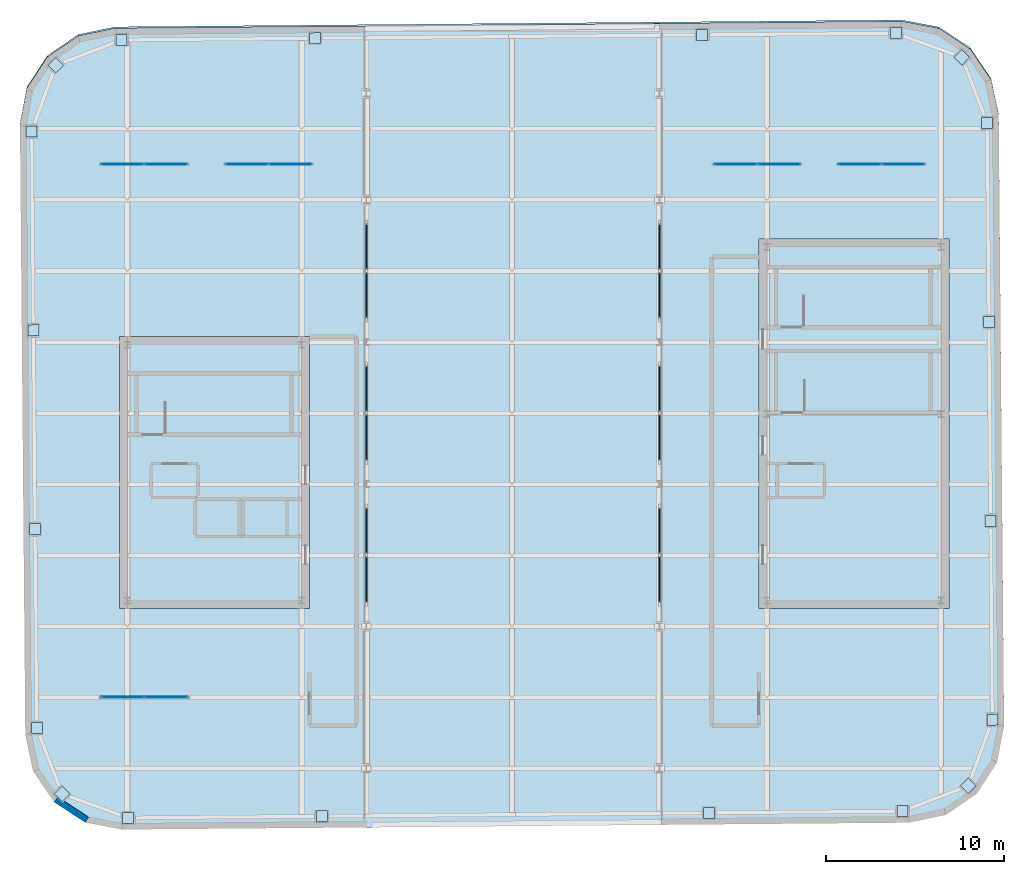
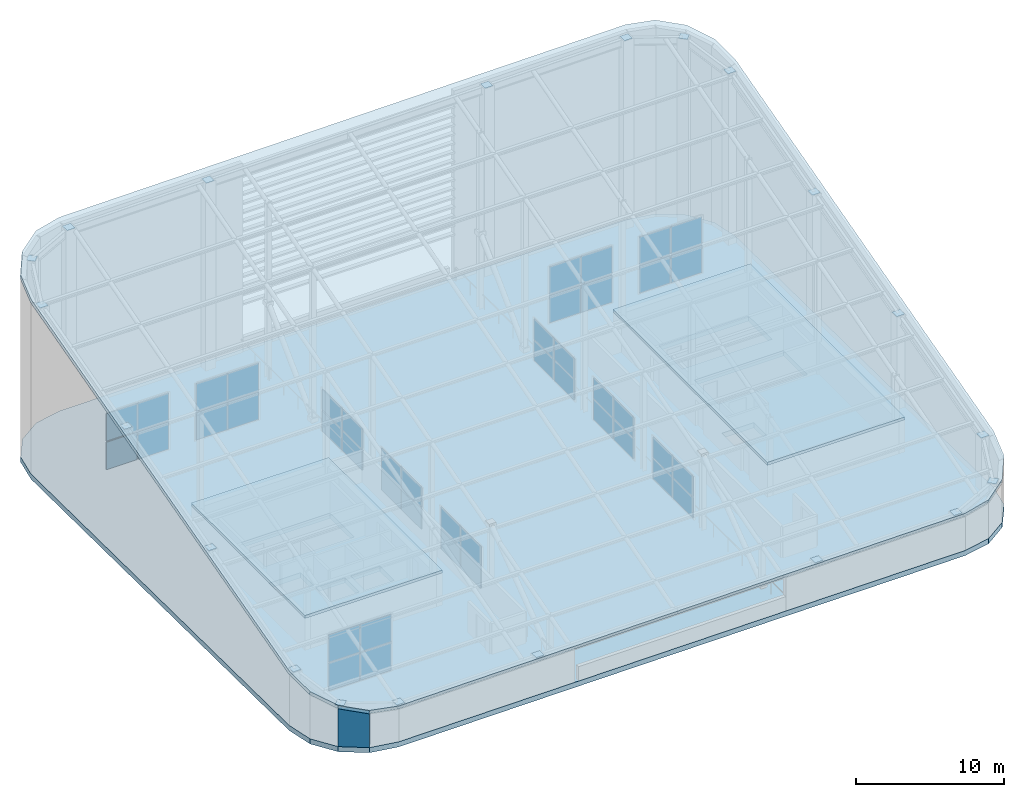
# One storey, part 14 of 17: 64 plates, 4 slabs, 1 wall, 11 elements without a shape of their own.
"""IFC4 building model written with IfcOpenShell, lengths in metres."""

from ifc_helpers import new_model, si_unit, direction, frame, origin, origin_2d, place, context, subcontext, project, spatial, polyline, rectangle, outline, extrude, material, layer, layer_set, type_object, element, aggregate, save


model = new_model("IFC4")

# Units and contexts
model_context = context("Model", 3, precision=1e-05, world=origin(), true_north=direction((0.0, 1.0)))
body_context = subcontext(model_context, "Body", "Model", "MODEL_VIEW")
ifc_project = project(units=[si_unit("LENGTHUNIT", "METRE"), si_unit("AREAUNIT", "SQUARE_METRE"), si_unit("VOLUMEUNIT", "CUBIC_METRE"), si_unit("PLANEANGLEUNIT", "RADIAN"), si_unit("MASSUNIT", "GRAM", prefix="KILO")], contexts=[model_context])

# Site, building, storey
site_placement = place(None, origin())
site = spatial("IfcSite", under=ifc_project, at=site_placement, CompositionType="ELEMENT")
building_placement = place(site_placement, origin())
building = spatial("IfcBuilding", under=site, at=building_placement, Name="Kolvaren Arena Tower", CompositionType="ELEMENT")
storey_placement = place(building_placement, frame((0.0, 0.0, 322.0)))
storey = spatial("IfcBuildingStorey", under=building, at=storey_placement, Name="Roof Crown", CompositionType="ELEMENT", Elevation=322.0)

# Curtain wall, plates
ifc_material_1 = material(Name="Anodised aluminium unitised curtain wall", Category="aluminium")
curtain_wall_type_1 = type_object("IfcCurtainWallType", Name="CW-SYS-04", PredefinedType="USERDEFINED", material=ifc_material_1)
curtain_wall_1_placement = place(storey_placement, origin())
curtain_wall_1 = element("IfcCurtainWall", 1, at=curtain_wall_1_placement, inside=storey, type_object=curtain_wall_type_1, Name="Wind-Portal Throat Acoustic Curtain Screen (Roof Crown)", ObjectType="ACOUSTIC LOUVRE SCREEN", PredefinedType="USERDEFINED")
ifc_material_2 = material(Name="Storm-proof anodised aluminium louvre panel", Category="aluminium")
ifc_layer_1 = layer(ifc_material_2, 0.074951171875)
ifc_layer_set_1 = layer_set([ifc_layer_1], Name="Storm-proof anodised aluminium louvre panel")
plate_type_1 = type_object("IfcPlateType", Name="CWP-LVR1", PredefinedType="CURTAIN_PANEL", material=ifc_layer_set_1)
plate_1_placement = place(storey_placement, frame((28.0, 20.6298828125, 0.10009765625), z_axis=(0.0, 0.0, 1.0), x_axis=(0.0, 1.0, 0.0)))
plate_1 = element("IfcPlate", 2, at=plate_1_placement, type_object=plate_type_1, Name="CW4 panel 1.1", PredefinedType="CURTAIN_PANEL", context=body_context, shape_type="SweptSolid", body=[
    extrude(rectangle(XDim=2.6201171875, YDim=0.074951171875, at=origin_2d()), origin(), (0.0, 0.0, 1.0), 1.64990234375),
])
plate_2_placement = place(storey_placement, frame((28.0, 20.6298828125, 1.85009765625), z_axis=(0.0, 0.0, 1.0), x_axis=(0.0, 1.0, 0.0)))
plate_2 = element("IfcPlate", 3, at=plate_2_placement, type_object=plate_type_1, Name="CW4 panel 1.2", PredefinedType="CURTAIN_PANEL", context=body_context, shape_type="SweptSolid", body=[
    extrude(rectangle(XDim=2.6201171875, YDim=0.074951171875, at=origin_2d()), origin(), (0.0, 0.0, 1.0), 1.64990234375),
])
plate_3_placement = place(storey_placement, frame((28.0, 23.3701171875, 0.10009765625), z_axis=(0.0, 0.0, 1.0), x_axis=(0.0, 1.0, 0.0)))
plate_3 = element("IfcPlate", 4, at=plate_3_placement, type_object=plate_type_1, Name="CW4 panel 2.1", PredefinedType="CURTAIN_PANEL", context=body_context, shape_type="SweptSolid", body=[
    extrude(rectangle(XDim=2.6201171875, YDim=0.074951171875, at=origin_2d()), origin(), (0.0, 0.0, 1.0), 1.64990234375),
])
plate_4_placement = place(storey_placement, frame((28.0, 23.3701171875, 1.85009765625), z_axis=(0.0, 0.0, 1.0), x_axis=(0.0, 1.0, 0.0)))
plate_4 = element("IfcPlate", 5, at=plate_4_placement, type_object=plate_type_1, Name="CW4 panel 2.2", PredefinedType="CURTAIN_PANEL", context=body_context, shape_type="SweptSolid", body=[
    extrude(rectangle(XDim=2.6201171875, YDim=0.074951171875, at=origin_2d()), origin(), (0.0, 0.0, 1.0), 1.64990234375),
])
aggregate(curtain_wall_1, [plate_1, plate_2, plate_3, plate_4])

curtain_wall_2_placement = place(storey_placement, origin())
curtain_wall_2 = element("IfcCurtainWall", 6, at=curtain_wall_2_placement, inside=storey, type_object=curtain_wall_type_1, Name="Wind-Portal Throat Acoustic Curtain Screen (Roof Crown)", ObjectType="ACOUSTIC LOUVRE SCREEN", PredefinedType="USERDEFINED")
plate_5_placement = place(storey_placement, frame((28.0, 28.6298828125, 0.10009765625), z_axis=(0.0, 0.0, 1.0), x_axis=(0.0, 1.0, 0.0)))
plate_5 = element("IfcPlate", 7, at=plate_5_placement, type_object=plate_type_1, Name="CW4 panel 1.1", PredefinedType="CURTAIN_PANEL", context=body_context, shape_type="SweptSolid", body=[
    extrude(rectangle(XDim=2.6201171875, YDim=0.074951171875, at=origin_2d()), origin(), (0.0, 0.0, 1.0), 1.64990234375),
])
plate_6_placement = place(storey_placement, frame((28.0, 28.6298828125, 1.85009765625), z_axis=(0.0, 0.0, 1.0), x_axis=(0.0, 1.0, 0.0)))
plate_6 = element("IfcPlate", 8, at=plate_6_placement, type_object=plate_type_1, Name="CW4 panel 1.2", PredefinedType="CURTAIN_PANEL", context=body_context, shape_type="SweptSolid", body=[
    extrude(rectangle(XDim=2.6201171875, YDim=0.074951171875, at=origin_2d()), origin(), (0.0, 0.0, 1.0), 1.64990234375),
])
plate_7_placement = place(storey_placement, frame((28.0, 31.3701171875, 0.10009765625), z_axis=(0.0, 0.0, 1.0), x_axis=(0.0, 1.0, 0.0)))
plate_7 = element("IfcPlate", 9, at=plate_7_placement, type_object=plate_type_1, Name="CW4 panel 2.1", PredefinedType="CURTAIN_PANEL", context=body_context, shape_type="SweptSolid", body=[
    extrude(rectangle(XDim=2.6201171875, YDim=0.074951171875, at=origin_2d()), origin(), (0.0, 0.0, 1.0), 1.64990234375),
])
plate_8_placement = place(storey_placement, frame((28.0, 31.3701171875, 1.85009765625), z_axis=(0.0, 0.0, 1.0), x_axis=(0.0, 1.0, 0.0)))
plate_8 = element("IfcPlate", 10, at=plate_8_placement, type_object=plate_type_1, Name="CW4 panel 2.2", PredefinedType="CURTAIN_PANEL", context=body_context, shape_type="SweptSolid", body=[
    extrude(rectangle(XDim=2.6201171875, YDim=0.074951171875, at=origin_2d()), origin(), (0.0, 0.0, 1.0), 1.64990234375),
])
aggregate(curtain_wall_2, [plate_5, plate_6, plate_7, plate_8])

curtain_wall_3_placement = place(storey_placement, origin())
curtain_wall_3 = element("IfcCurtainWall", 11, at=curtain_wall_3_placement, inside=storey, type_object=curtain_wall_type_1, Name="Wind-Portal Throat Acoustic Curtain Screen (Roof Crown)", ObjectType="ACOUSTIC LOUVRE SCREEN", PredefinedType="USERDEFINED")
plate_9_placement = place(storey_placement, frame((28.0, 36.6298828125, 0.10009765625), z_axis=(0.0, 0.0, 1.0), x_axis=(0.0, 1.0, 0.0)))
plate_9 = element("IfcPlate", 12, at=plate_9_placement, type_object=plate_type_1, Name="CW4 panel 1.1", PredefinedType="CURTAIN_PANEL", context=body_context, shape_type="SweptSolid", body=[
    extrude(rectangle(XDim=2.6201171875, YDim=0.074951171875, at=origin_2d()), origin(), (0.0, 0.0, 1.0), 1.64990234375),
])
plate_10_placement = place(storey_placement, frame((28.0, 36.6298828125, 1.85009765625), z_axis=(0.0, 0.0, 1.0), x_axis=(0.0, 1.0, 0.0)))
plate_10 = element("IfcPlate", 13, at=plate_10_placement, type_object=plate_type_1, Name="CW4 panel 1.2", PredefinedType="CURTAIN_PANEL", context=body_context, shape_type="SweptSolid", body=[
    extrude(rectangle(XDim=2.6201171875, YDim=0.074951171875, at=origin_2d()), origin(), (0.0, 0.0, 1.0), 1.64990234375),
])
plate_11_placement = place(storey_placement, frame((28.0, 39.3701171875, 0.10009765625), z_axis=(0.0, 0.0, 1.0), x_axis=(0.0, 1.0, 0.0)))
plate_11 = element("IfcPlate", 14, at=plate_11_placement, type_object=plate_type_1, Name="CW4 panel 2.1", PredefinedType="CURTAIN_PANEL", context=body_context, shape_type="SweptSolid", body=[
    extrude(rectangle(XDim=2.6201171875, YDim=0.074951171875, at=origin_2d()), origin(), (0.0, 0.0, 1.0), 1.64990234375),
])
plate_12_placement = place(storey_placement, frame((28.0, 39.3701171875, 1.85009765625), z_axis=(0.0, 0.0, 1.0), x_axis=(0.0, 1.0, 0.0)))
plate_12 = element("IfcPlate", 15, at=plate_12_placement, type_object=plate_type_1, Name="CW4 panel 2.2", PredefinedType="CURTAIN_PANEL", context=body_context, shape_type="SweptSolid", body=[
    extrude(rectangle(XDim=2.6201171875, YDim=0.074951171875, at=origin_2d()), origin(), (0.0, 0.0, 1.0), 1.64990234375),
])
aggregate(curtain_wall_3, [plate_9, plate_10, plate_11, plate_12])

curtain_wall_4_placement = place(storey_placement, origin())
curtain_wall_4 = element("IfcCurtainWall", 16, at=curtain_wall_4_placement, inside=storey, type_object=curtain_wall_type_1, Name="Wind-Portal Throat Acoustic Curtain Screen (Roof Crown)", ObjectType="ACOUSTIC LOUVRE SCREEN", PredefinedType="USERDEFINED")
plate_13_placement = place(storey_placement, frame((44.5, 20.6298828125, 0.10009765625), z_axis=(0.0, 0.0, 1.0), x_axis=(0.0, 1.0, 0.0)))
plate_13 = element("IfcPlate", 17, at=plate_13_placement, type_object=plate_type_1, Name="CW4 panel 1.1", PredefinedType="CURTAIN_PANEL", context=body_context, shape_type="SweptSolid", body=[
    extrude(rectangle(XDim=2.6201171875, YDim=0.074951171875, at=origin_2d()), origin(), (0.0, 0.0, 1.0), 1.64990234375),
])
plate_14_placement = place(storey_placement, frame((44.5, 20.6298828125, 1.85009765625), z_axis=(0.0, 0.0, 1.0), x_axis=(0.0, 1.0, 0.0)))
plate_14 = element("IfcPlate", 18, at=plate_14_placement, type_object=plate_type_1, Name="CW4 panel 1.2", PredefinedType="CURTAIN_PANEL", context=body_context, shape_type="SweptSolid", body=[
    extrude(rectangle(XDim=2.6201171875, YDim=0.074951171875, at=origin_2d()), origin(), (0.0, 0.0, 1.0), 1.64990234375),
])
plate_15_placement = place(storey_placement, frame((44.5, 23.3701171875, 0.10009765625), z_axis=(0.0, 0.0, 1.0), x_axis=(0.0, 1.0, 0.0)))
plate_15 = element("IfcPlate", 19, at=plate_15_placement, type_object=plate_type_1, Name="CW4 panel 2.1", PredefinedType="CURTAIN_PANEL", context=body_context, shape_type="SweptSolid", body=[
    extrude(rectangle(XDim=2.6201171875, YDim=0.074951171875, at=origin_2d()), origin(), (0.0, 0.0, 1.0), 1.64990234375),
])
plate_16_placement = place(storey_placement, frame((44.5, 23.3701171875, 1.85009765625), z_axis=(0.0, 0.0, 1.0), x_axis=(0.0, 1.0, 0.0)))
plate_16 = element("IfcPlate", 20, at=plate_16_placement, type_object=plate_type_1, Name="CW4 panel 2.2", PredefinedType="CURTAIN_PANEL", context=body_context, shape_type="SweptSolid", body=[
    extrude(rectangle(XDim=2.6201171875, YDim=0.074951171875, at=origin_2d()), origin(), (0.0, 0.0, 1.0), 1.64990234375),
])
aggregate(curtain_wall_4, [plate_13, plate_14, plate_15, plate_16])

curtain_wall_5_placement = place(storey_placement, origin())
curtain_wall_5 = element("IfcCurtainWall", 21, at=curtain_wall_5_placement, inside=storey, type_object=curtain_wall_type_1, Name="Wind-Portal Throat Acoustic Curtain Screen (Roof Crown)", ObjectType="ACOUSTIC LOUVRE SCREEN", PredefinedType="USERDEFINED")
plate_17_placement = place(storey_placement, frame((44.5, 28.6298828125, 0.10009765625), z_axis=(0.0, 0.0, 1.0), x_axis=(0.0, 1.0, 0.0)))
plate_17 = element("IfcPlate", 22, at=plate_17_placement, type_object=plate_type_1, Name="CW4 panel 1.1", PredefinedType="CURTAIN_PANEL", context=body_context, shape_type="SweptSolid", body=[
    extrude(rectangle(XDim=2.6201171875, YDim=0.074951171875, at=origin_2d()), origin(), (0.0, 0.0, 1.0), 1.64990234375),
])
plate_18_placement = place(storey_placement, frame((44.5, 28.6298828125, 1.85009765625), z_axis=(0.0, 0.0, 1.0), x_axis=(0.0, 1.0, 0.0)))
plate_18 = element("IfcPlate", 23, at=plate_18_placement, type_object=plate_type_1, Name="CW4 panel 1.2", PredefinedType="CURTAIN_PANEL", context=body_context, shape_type="SweptSolid", body=[
    extrude(rectangle(XDim=2.6201171875, YDim=0.074951171875, at=origin_2d()), origin(), (0.0, 0.0, 1.0), 1.64990234375),
])
plate_19_placement = place(storey_placement, frame((44.5, 31.3701171875, 0.10009765625), z_axis=(0.0, 0.0, 1.0), x_axis=(0.0, 1.0, 0.0)))
plate_19 = element("IfcPlate", 24, at=plate_19_placement, type_object=plate_type_1, Name="CW4 panel 2.1", PredefinedType="CURTAIN_PANEL", context=body_context, shape_type="SweptSolid", body=[
    extrude(rectangle(XDim=2.6201171875, YDim=0.074951171875, at=origin_2d()), origin(), (0.0, 0.0, 1.0), 1.64990234375),
])
plate_20_placement = place(storey_placement, frame((44.5, 31.3701171875, 1.85009765625), z_axis=(0.0, 0.0, 1.0), x_axis=(0.0, 1.0, 0.0)))
plate_20 = element("IfcPlate", 25, at=plate_20_placement, type_object=plate_type_1, Name="CW4 panel 2.2", PredefinedType="CURTAIN_PANEL", context=body_context, shape_type="SweptSolid", body=[
    extrude(rectangle(XDim=2.6201171875, YDim=0.074951171875, at=origin_2d()), origin(), (0.0, 0.0, 1.0), 1.64990234375),
])
aggregate(curtain_wall_5, [plate_17, plate_18, plate_19, plate_20])

curtain_wall_6_placement = place(storey_placement, origin())
curtain_wall_6 = element("IfcCurtainWall", 26, at=curtain_wall_6_placement, inside=storey, type_object=curtain_wall_type_1, Name="Wind-Portal Throat Acoustic Curtain Screen (Roof Crown)", ObjectType="ACOUSTIC LOUVRE SCREEN", PredefinedType="USERDEFINED")
plate_21_placement = place(storey_placement, frame((44.5, 36.6298828125, 0.10009765625), z_axis=(0.0, 0.0, 1.0), x_axis=(0.0, 1.0, 0.0)))
plate_21 = element("IfcPlate", 27, at=plate_21_placement, type_object=plate_type_1, Name="CW4 panel 1.1", PredefinedType="CURTAIN_PANEL", context=body_context, shape_type="SweptSolid", body=[
    extrude(rectangle(XDim=2.6201171875, YDim=0.074951171875, at=origin_2d()), origin(), (0.0, 0.0, 1.0), 1.64990234375),
])
plate_22_placement = place(storey_placement, frame((44.5, 36.6298828125, 1.85009765625), z_axis=(0.0, 0.0, 1.0), x_axis=(0.0, 1.0, 0.0)))
plate_22 = element("IfcPlate", 28, at=plate_22_placement, type_object=plate_type_1, Name="CW4 panel 1.2", PredefinedType="CURTAIN_PANEL", context=body_context, shape_type="SweptSolid", body=[
    extrude(rectangle(XDim=2.6201171875, YDim=0.074951171875, at=origin_2d()), origin(), (0.0, 0.0, 1.0), 1.64990234375),
])
plate_23_placement = place(storey_placement, frame((44.5, 39.3701171875, 0.10009765625), z_axis=(0.0, 0.0, 1.0), x_axis=(0.0, 1.0, 0.0)))
plate_23 = element("IfcPlate", 29, at=plate_23_placement, type_object=plate_type_1, Name="CW4 panel 2.1", PredefinedType="CURTAIN_PANEL", context=body_context, shape_type="SweptSolid", body=[
    extrude(rectangle(XDim=2.6201171875, YDim=0.074951171875, at=origin_2d()), origin(), (0.0, 0.0, 1.0), 1.64990234375),
])
plate_24_placement = place(storey_placement, frame((44.5, 39.3701171875, 1.85009765625), z_axis=(0.0, 0.0, 1.0), x_axis=(0.0, 1.0, 0.0)))
plate_24 = element("IfcPlate", 30, at=plate_24_placement, type_object=plate_type_1, Name="CW4 panel 2.2", PredefinedType="CURTAIN_PANEL", context=body_context, shape_type="SweptSolid", body=[
    extrude(rectangle(XDim=2.6201171875, YDim=0.074951171875, at=origin_2d()), origin(), (0.0, 0.0, 1.0), 1.64990234375),
])
aggregate(curtain_wall_6, [plate_21, plate_22, plate_23, plate_24])

curtain_wall_type_2 = type_object("IfcCurtainWallType", Name="CW-SYS-07", PredefinedType="USERDEFINED", material=ifc_material_1)
curtain_wall_7_placement = place(storey_placement, origin())
curtain_wall_7 = element("IfcCurtainWall", 31, at=curtain_wall_7_placement, inside=storey, type_object=curtain_wall_type_2, Name="Crown Clerestory Curtain Wall (Roof Crown)", ObjectType="UNITISED CURTAIN WALL", PredefinedType="USERDEFINED")
ifc_material_3 = material(Name="Laminated acoustic low-E glazing unit", Category="glass")
ifc_layer_2 = layer(ifc_material_3, 0.052001953125)
ifc_layer_set_2 = layer_set([ifc_layer_2], Name="Laminated acoustic low-E glazing unit")
plate_type_2 = type_object("IfcPlateType", Name="CWP-VIS2", PredefinedType="CURTAIN_PANEL", material=ifc_layer_set_2)
plate_25_placement = place(storey_placement, frame((14.27001953125, 44.0, 0.10009765625), z_axis=(0.0, 0.0, 1.0), x_axis=(1.0, 0.0, 0.0)))
plate_25 = element("IfcPlate", 32, at=plate_25_placement, type_object=plate_type_2, Name="CW7 panel 1.1", PredefinedType="CURTAIN_PANEL", context=body_context, shape_type="SweptSolid", body=[
    extrude(rectangle(XDim=2.3798828125, YDim=0.052001953125, at=origin_2d()), origin(), (0.0, 0.0, 1.0), 2.25),
])
plate_26_placement = place(storey_placement, frame((14.27001953125, 44.0, 2.449951171875), z_axis=(0.0, 0.0, 1.0), x_axis=(1.0, 0.0, 0.0)))
plate_26 = element("IfcPlate", 33, at=plate_26_placement, type_object=plate_type_2, Name="CW7 panel 1.2", PredefinedType="CURTAIN_PANEL", context=body_context, shape_type="SweptSolid", body=[
    extrude(rectangle(XDim=2.3798828125, YDim=0.052001953125, at=origin_2d()), origin(), (0.0, 0.0, 1.0), 2.25),
])
plate_27_placement = place(storey_placement, frame((16.72998046875, 44.0, 0.10009765625), z_axis=(0.0, 0.0, 1.0), x_axis=(1.0, 0.0, 0.0)))
plate_27 = element("IfcPlate", 34, at=plate_27_placement, type_object=plate_type_2, Name="CW7 panel 2.1", PredefinedType="CURTAIN_PANEL", context=body_context, shape_type="SweptSolid", body=[
    extrude(rectangle(XDim=2.3798828125, YDim=0.052001953125, at=origin_2d()), origin(), (0.0, 0.0, 1.0), 2.25),
])
plate_28_placement = place(storey_placement, frame((16.72998046875, 44.0, 2.449951171875), z_axis=(0.0, 0.0, 1.0), x_axis=(1.0, 0.0, 0.0)))
plate_28 = element("IfcPlate", 35, at=plate_28_placement, type_object=plate_type_2, Name="CW7 panel 2.2", PredefinedType="CURTAIN_PANEL", context=body_context, shape_type="SweptSolid", body=[
    extrude(rectangle(XDim=2.3798828125, YDim=0.052001953125, at=origin_2d()), origin(), (0.0, 0.0, 1.0), 2.25),
])
aggregate(curtain_wall_7, [plate_25, plate_26, plate_27, plate_28])

curtain_wall_8_placement = place(storey_placement, origin())
curtain_wall_8 = element("IfcCurtainWall", 36, at=curtain_wall_8_placement, inside=storey, type_object=curtain_wall_type_2, Name="Crown Clerestory Curtain Wall (Roof Crown)", ObjectType="UNITISED CURTAIN WALL", PredefinedType="USERDEFINED")
plate_29_placement = place(storey_placement, frame((21.27001953125, 44.0, 0.10009765625), z_axis=(0.0, 0.0, 1.0), x_axis=(1.0, 0.0, 0.0)))
plate_29 = element("IfcPlate", 37, at=plate_29_placement, type_object=plate_type_2, Name="CW7 panel 1.1", PredefinedType="CURTAIN_PANEL", context=body_context, shape_type="SweptSolid", body=[
    extrude(rectangle(XDim=2.3798828125, YDim=0.052001953125, at=origin_2d()), origin(), (0.0, 0.0, 1.0), 2.25),
])
plate_30_placement = place(storey_placement, frame((21.27001953125, 44.0, 2.449951171875), z_axis=(0.0, 0.0, 1.0), x_axis=(1.0, 0.0, 0.0)))
plate_30 = element("IfcPlate", 38, at=plate_30_placement, type_object=plate_type_2, Name="CW7 panel 1.2", PredefinedType="CURTAIN_PANEL", context=body_context, shape_type="SweptSolid", body=[
    extrude(rectangle(XDim=2.3798828125, YDim=0.052001953125, at=origin_2d()), origin(), (0.0, 0.0, 1.0), 2.25),
])
plate_31_placement = place(storey_placement, frame((23.72998046875, 44.0, 0.10009765625), z_axis=(0.0, 0.0, 1.0), x_axis=(1.0, 0.0, 0.0)))
plate_31 = element("IfcPlate", 39, at=plate_31_placement, type_object=plate_type_2, Name="CW7 panel 2.1", PredefinedType="CURTAIN_PANEL", context=body_context, shape_type="SweptSolid", body=[
    extrude(rectangle(XDim=2.3798828125, YDim=0.052001953125, at=origin_2d()), origin(), (0.0, 0.0, 1.0), 2.25),
])
plate_32_placement = place(storey_placement, frame((23.72998046875, 44.0, 2.449951171875), z_axis=(0.0, 0.0, 1.0), x_axis=(1.0, 0.0, 0.0)))
plate_32 = element("IfcPlate", 40, at=plate_32_placement, type_object=plate_type_2, Name="CW7 panel 2.2", PredefinedType="CURTAIN_PANEL", context=body_context, shape_type="SweptSolid", body=[
    extrude(rectangle(XDim=2.3798828125, YDim=0.052001953125, at=origin_2d()), origin(), (0.0, 0.0, 1.0), 2.25),
])
aggregate(curtain_wall_8, [plate_29, plate_30, plate_31, plate_32])

curtain_wall_9_placement = place(storey_placement, origin())
curtain_wall_9 = element("IfcCurtainWall", 41, at=curtain_wall_9_placement, inside=storey, type_object=curtain_wall_type_2, Name="Crown Clerestory Curtain Wall (Roof Crown)", ObjectType="UNITISED CURTAIN WALL", PredefinedType="USERDEFINED")
plate_33_placement = place(storey_placement, frame((48.77001953125, 44.0, 0.10009765625), z_axis=(0.0, 0.0, 1.0), x_axis=(1.0, 0.0, 0.0)))
plate_33 = element("IfcPlate", 42, at=plate_33_placement, type_object=plate_type_2, Name="CW7 panel 1.1", PredefinedType="CURTAIN_PANEL", context=body_context, shape_type="SweptSolid", body=[
    extrude(rectangle(XDim=2.3798828125, YDim=0.052001953125, at=origin_2d()), origin(), (0.0, 0.0, 1.0), 2.25),
])
plate_34_placement = place(storey_placement, frame((48.77001953125, 44.0, 2.449951171875), z_axis=(0.0, 0.0, 1.0), x_axis=(1.0, 0.0, 0.0)))
plate_34 = element("IfcPlate", 43, at=plate_34_placement, type_object=plate_type_2, Name="CW7 panel 1.2", PredefinedType="CURTAIN_PANEL", context=body_context, shape_type="SweptSolid", body=[
    extrude(rectangle(XDim=2.3798828125, YDim=0.052001953125, at=origin_2d()), origin(), (0.0, 0.0, 1.0), 2.25),
])
plate_35_placement = place(storey_placement, frame((51.22998046875, 44.0, 0.10009765625), z_axis=(0.0, 0.0, 1.0), x_axis=(1.0, 0.0, 0.0)))
plate_35 = element("IfcPlate", 44, at=plate_35_placement, type_object=plate_type_2, Name="CW7 panel 2.1", PredefinedType="CURTAIN_PANEL", context=body_context, shape_type="SweptSolid", body=[
    extrude(rectangle(XDim=2.3798828125, YDim=0.052001953125, at=origin_2d()), origin(), (0.0, 0.0, 1.0), 2.25),
])
plate_36_placement = place(storey_placement, frame((51.22998046875, 44.0, 2.449951171875), z_axis=(0.0, 0.0, 1.0), x_axis=(1.0, 0.0, 0.0)))
plate_36 = element("IfcPlate", 45, at=plate_36_placement, type_object=plate_type_2, Name="CW7 panel 2.2", PredefinedType="CURTAIN_PANEL", context=body_context, shape_type="SweptSolid", body=[
    extrude(rectangle(XDim=2.3798828125, YDim=0.052001953125, at=origin_2d()), origin(), (0.0, 0.0, 1.0), 2.25),
])
aggregate(curtain_wall_9, [plate_33, plate_34, plate_35, plate_36])

curtain_wall_10_placement = place(storey_placement, origin())
curtain_wall_10 = element("IfcCurtainWall", 46, at=curtain_wall_10_placement, inside=storey, type_object=curtain_wall_type_2, Name="Crown Clerestory Curtain Wall (Roof Crown)", ObjectType="UNITISED CURTAIN WALL", PredefinedType="USERDEFINED")
plate_37_placement = place(storey_placement, frame((55.77001953125, 44.0, 0.10009765625), z_axis=(0.0, 0.0, 1.0), x_axis=(1.0, 0.0, 0.0)))
plate_37 = element("IfcPlate", 47, at=plate_37_placement, type_object=plate_type_2, Name="CW7 panel 1.1", PredefinedType="CURTAIN_PANEL", context=body_context, shape_type="SweptSolid", body=[
    extrude(rectangle(XDim=2.3798828125, YDim=0.052001953125, at=origin_2d()), origin(), (0.0, 0.0, 1.0), 2.25),
])
plate_38_placement = place(storey_placement, frame((55.77001953125, 44.0, 2.449951171875), z_axis=(0.0, 0.0, 1.0), x_axis=(1.0, 0.0, 0.0)))
plate_38 = element("IfcPlate", 48, at=plate_38_placement, type_object=plate_type_2, Name="CW7 panel 1.2", PredefinedType="CURTAIN_PANEL", context=body_context, shape_type="SweptSolid", body=[
    extrude(rectangle(XDim=2.3798828125, YDim=0.052001953125, at=origin_2d()), origin(), (0.0, 0.0, 1.0), 2.25),
])
plate_39_placement = place(storey_placement, frame((58.22998046875, 44.0, 0.10009765625), z_axis=(0.0, 0.0, 1.0), x_axis=(1.0, 0.0, 0.0)))
plate_39 = element("IfcPlate", 49, at=plate_39_placement, type_object=plate_type_2, Name="CW7 panel 2.1", PredefinedType="CURTAIN_PANEL", context=body_context, shape_type="SweptSolid", body=[
    extrude(rectangle(XDim=2.3798828125, YDim=0.052001953125, at=origin_2d()), origin(), (0.0, 0.0, 1.0), 2.25),
])
plate_40_placement = place(storey_placement, frame((58.22998046875, 44.0, 2.449951171875), z_axis=(0.0, 0.0, 1.0), x_axis=(1.0, 0.0, 0.0)))
plate_40 = element("IfcPlate", 50, at=plate_40_placement, type_object=plate_type_2, Name="CW7 panel 2.2", PredefinedType="CURTAIN_PANEL", context=body_context, shape_type="SweptSolid", body=[
    extrude(rectangle(XDim=2.3798828125, YDim=0.052001953125, at=origin_2d()), origin(), (0.0, 0.0, 1.0), 2.25),
])
aggregate(curtain_wall_10, [plate_37, plate_38, plate_39, plate_40])

curtain_wall_11_placement = place(storey_placement, origin())
curtain_wall_11 = element("IfcCurtainWall", 51, at=curtain_wall_11_placement, inside=storey, type_object=curtain_wall_type_2, Name="Crown Clerestory Curtain Wall (Roof Crown)", ObjectType="UNITISED CURTAIN WALL", PredefinedType="USERDEFINED")
plate_41_placement = place(storey_placement, frame((14.27001953125, 14.0, 0.10009765625), z_axis=(0.0, 0.0, 1.0), x_axis=(1.0, 0.0, 0.0)))
plate_41 = element("IfcPlate", 52, at=plate_41_placement, type_object=plate_type_2, Name="CW7 panel 1.1", PredefinedType="CURTAIN_PANEL", context=body_context, shape_type="SweptSolid", body=[
    extrude(rectangle(XDim=2.3798828125, YDim=0.052001953125, at=origin_2d()), origin(), (0.0, 0.0, 1.0), 2.25),
])
plate_42_placement = place(storey_placement, frame((14.27001953125, 14.0, 2.449951171875), z_axis=(0.0, 0.0, 1.0), x_axis=(1.0, 0.0, 0.0)))
plate_42 = element("IfcPlate", 53, at=plate_42_placement, type_object=plate_type_2, Name="CW7 panel 1.2", PredefinedType="CURTAIN_PANEL", context=body_context, shape_type="SweptSolid", body=[
    extrude(rectangle(XDim=2.3798828125, YDim=0.052001953125, at=origin_2d()), origin(), (0.0, 0.0, 1.0), 2.25),
])
plate_43_placement = place(storey_placement, frame((16.72998046875, 14.0, 0.10009765625), z_axis=(0.0, 0.0, 1.0), x_axis=(1.0, 0.0, 0.0)))
plate_43 = element("IfcPlate", 54, at=plate_43_placement, type_object=plate_type_2, Name="CW7 panel 2.1", PredefinedType="CURTAIN_PANEL", context=body_context, shape_type="SweptSolid", body=[
    extrude(rectangle(XDim=2.3798828125, YDim=0.052001953125, at=origin_2d()), origin(), (0.0, 0.0, 1.0), 2.25),
])
plate_44_placement = place(storey_placement, frame((16.72998046875, 14.0, 2.449951171875), z_axis=(0.0, 0.0, 1.0), x_axis=(1.0, 0.0, 0.0)))
plate_44 = element("IfcPlate", 55, at=plate_44_placement, type_object=plate_type_2, Name="CW7 panel 2.2", PredefinedType="CURTAIN_PANEL", context=body_context, shape_type="SweptSolid", body=[
    extrude(rectangle(XDim=2.3798828125, YDim=0.052001953125, at=origin_2d()), origin(), (0.0, 0.0, 1.0), 2.25),
])
aggregate(curtain_wall_11, [plate_41, plate_42, plate_43, plate_44])

# Plates
ifc_material_4 = material(Name="Steel CSA G40.21 350WT", Category="steel")
ifc_layer_3 = layer(ifc_material_4, 0.031982421875)
ifc_layer_set_3 = layer_set([ifc_layer_3], Name="Steel CSA G40.21 350WT")
plate_type_3 = type_object("IfcPlateType", Name="PLT-CAP-H1", PredefinedType="SHEET", material=ifc_layer_set_3)
for number, where, z_axis, x_axis, name in (
    (56, (14.591796875, 7.210693359375, 2.7607421875), (0.0, 0.0, 1.0), (0.999961923064, 0.008726535498, 0.0), "Crown Column Cap Plate 01"),
    (57, (25.491455078125, 7.3056640625, 2.7880859375), (0.0, 0.0, 1.0), (0.999961923064, 0.008726535498, 0.0), "Crown Column Cap Plate 02"),
    (58, (47.290771484375, 7.49609375, 2.8427734375), (0.0, 0.0, 1.0), (0.999961923064, 0.008726535498, 0.0), "Crown Column Cap Plate 04"),
    (59, (58.190185546875, 7.591064453125, 2.87060546875), (0.0, 0.0, 1.0), (0.999961923064, 0.008726535498, 0.0), "Crown Column Cap Plate 05"),
    (60, (61.88671875, 9.0146484375, 3.28076171875), (0.0, 0.0, 1.0), (0.7009092643, 0.713250449154, 0.0), "Crown Column Cap Plate 06"),
    (61, (63.24560546875, 12.7353515625, 4.353515625), (0.0, 0.0, 1.0), (-0.008726535498, 0.999961923064, 0.0), "Crown Column Cap Plate 07"),
    (62, (63.147705078125, 23.93505859375, 7.58154296875), (0.0, 0.0, 1.0), (-0.008726535498, 0.999961923064, 0.0), "Crown Column Cap Plate 08"),
    (63, (63.050048828125, 35.134521484375, 10.8095703125), (0.0, 0.0, 1.0), (-0.008726535498, 0.999961923064, 0.0), "Crown Column Cap Plate 09"),
    (64, (62.952392578125, 46.333984375, 14.0380859375), (0.0, 0.0, 1.0), (-0.008726535498, 0.999961923064, 0.0), "Crown Column Cap Plate 10"),
    (65, (61.52880859375, 50.030517578125, 15.103515625), (0.0, 0.0, 1.0), (-0.713250449154, 0.7009092643, 0.0), "Crown Column Cap Plate 11"),
    (66, (57.80810546875, 51.389404296875, 15.4951171875), (0.0, 0.0, 1.0), (0.999961923064, 0.008726535498, 0.0), "Crown Column Cap Plate 12"),
    (67, (46.908447265625, 51.294189453125, 15.4677734375), (0.0, 0.0, 1.0), (0.999961923064, 0.008726535498, 0.0), "Crown Column Cap Plate 13"),
    (68, (25.109375, 51.10400390625, 15.4130859375), (0.0, 0.0, 1.0), (0.999961923064, 0.008726535498, 0.0), "Crown Column Cap Plate 15"),
    (69, (14.209716796875, 51.0087890625, 15.3857421875), (0.0, 0.0, 1.0), (0.999961923064, 0.008726535498, 0.0), "Crown Column Cap Plate 16"),
    (70, (10.51318359375, 49.58544921875, 14.97509765625), (0.0, 0.0, 1.0), (0.7009092643, 0.713250449154, 0.0), "Crown Column Cap Plate 17"),
    (71, (9.154296875, 45.864501953125, 13.90283203125), (0.0, 0.0, 1.0), (-0.008726535498, 0.999961923064, 0.0), "Crown Column Cap Plate 18"),
    (72, (9.252197265625, 34.6650390625, 10.67431640625), (0.0, 0.0, 1.0), (-0.008726535498, 0.999961923064, 0.0), "Crown Column Cap Plate 19"),
    (73, (9.349853515625, 23.465576171875, 7.4462890625), (0.0, 0.0, 1.0), (-0.008726535498, 0.999961923064, 0.0), "Crown Column Cap Plate 20"),
    (74, (9.447509765625, 12.265869140625, 4.2177734375), (0.0, 0.0, 1.0), (-0.008726535498, 0.999961923064, 0.0), "Crown Column Cap Plate 21"),
    (75, (10.87109375, 8.5693359375, 3.15234375), (0.0, 0.0, 1.0), (-0.713250449154, 0.7009092643, 0.0), "Crown Column Cap Plate 22"),
):
    element("IfcPlate", number, at=place(storey_placement, frame(where, z_axis=z_axis, x_axis=x_axis)), inside=storey, type_object=plate_type_3, Name=name, PredefinedType="SHEET", context=body_context, shape_type="SweptSolid", body=[
        extrude(rectangle(XDim=0.6201171875, YDim=0.6201171875, at=origin_2d()), origin(), (0.0, 0.0, 1.0), 0.031982421875),
    ])

# Slabs
ifc_material_5 = material(Name="Concrete 50 MPa", Category="concrete")
ifc_layer_4 = layer(ifc_material_5, 0.320068359375)
ifc_layer_set_4 = layer_set([ifc_layer_4], Name="Concrete 50 MPa")
slab_type_1 = type_object("IfcSlabType", Name="ROOF-SLOPE", PredefinedType="ROOF", material=ifc_layer_set_4)
slab_1_placement = place(storey_placement, frame((58.5458984375, 6.944091796875, 3.055908203125), z_axis=(-8.49033e-07, -0.276971580872, 0.960878110578), x_axis=(0.977351496696, 0.203343128652, 0.058614195689)))
element("IfcSlab", 76, at=slab_1_placement, inside=storey, type_object=slab_type_1, Name="Sloped Structural Crown Roof Slab (+325.00 to +338.00 m)", PredefinedType="ROOF", context=body_context, shape_type="SweptSolid", body=[
    extrude(outline(polyline([(0.0, 0.0), (2.110794620230721, -1.1796119636642288e-16), (4.073964951226695, 0.8375878921495974), (5.591121242457165, 2.385257192015465), (6.431193359592194, 4.407629486994674), (13.69253946521071, 39.357629687005414), (13.727400566876035, 41.54676802084585), (12.952000445674779, 43.56901373126801), (11.484379277717494, 45.11696471688419), (9.547762110589789, 45.95483750048971), (-33.83244864588099, 54.936049720950486), (-35.94295501058794, 54.93622733161494), (-37.906363952789164, 54.0986911050971), (-39.42356988833815, 52.55079252893502), (-40.26335374994942, 50.52859784462026), (-47.52474949988645, 15.578368368313306), (-47.5597995684385, 13.38951097640085), (-46.784449091555764, 11.367035989682485), (-45.31677827927996, 9.819314280362509), (-43.38016111215225, 8.981441496756991), (0.0, 0.0)])), origin(), (0.0, 0.0, -1.0), 0.320068359375),
])
ifc_layer_5 = layer(ifc_material_5, 0.239990234375)
ifc_layer_set_5 = layer_set([ifc_layer_5], Name="Concrete 50 MPa")
slab_type_2 = type_object("IfcSlabType", Name="SLAB-OBS", PredefinedType="FLOOR", material=ifc_layer_set_5)
slab_2_placement = place(storey_placement, frame((0.0, 0.0, 2.639892578125)))
element("IfcSlab", 77, at=slab_2_placement, inside=storey, type_object=slab_type_2, Name="West Split-Core Attic Cap Deck Slab", PredefinedType="FLOOR", context=body_context, shape_type="SweptSolid", body=[
    extrude(outline(polyline([(14.10009765625, 19.0), (24.800048828125, 19.0), (24.800048828125, 34.300048828125), (14.10009765625, 34.300048828125), (14.10009765625, 19.0)])), origin(), (0.0, 0.0, 1.0), 0.239990234375),
])
slab_3_placement = place(storey_placement, frame((0.0, 0.0, 2.639892578125)))
element("IfcSlab", 78, at=slab_3_placement, inside=storey, type_object=slab_type_2, Name="East Split-Core Attic Cap Deck Slab", PredefinedType="FLOOR", context=body_context, shape_type="SweptSolid", body=[
    extrude(outline(polyline([(50.10009765625, 19.0), (60.800048828125, 19.0), (60.800048828125, 39.800048828125), (50.10009765625, 39.800048828125), (50.10009765625, 19.0)])), origin(), (0.0, 0.0, 1.0), 0.239990234375),
])
ifc_layer_6 = layer(ifc_material_5, 0.419921875)
ifc_layer_set_6 = layer_set([ifc_layer_6], Name="Concrete 50 MPa")
slab_type_3 = type_object("IfcSlabType", Name="SLAB-PLANT", PredefinedType="FLOOR", material=ifc_layer_set_6)
slab_4_placement = place(storey_placement, frame((0.0, 0.0, -0.419921875)))
element("IfcSlab", 79, at=slab_4_placement, inside=storey, type_object=slab_type_3, Name="Roof Crown Primary Structural Slab", PredefinedType="FLOOR", context=body_context, shape_type="SweptSolid", body=[
    extrude(outline(polyline([(58.5458984375, 6.944091796875), (60.60888671875, 7.373291015625), (62.350341796875, 8.55908203125), (63.505615234375, 10.321044921875), (63.898681640625, 12.39111328125), (63.599365234375, 46.689697265625), (63.170166015625, 48.752685546875), (61.984375, 50.494140625), (60.222412109375, 51.6494140625), (58.15234375, 52.04248046875), (13.85400390625, 51.65576171875), (11.791259765625, 51.226806640625), (10.049560546875, 50.041015625), (8.894287109375, 48.27880859375), (8.50146484375, 46.208984375), (8.80078125, 11.91015625), (9.229736328125, 9.847412109375), (10.41552734375, 8.105712890625), (12.177490234375, 6.95068359375), (14.24755859375, 6.5576171875), (58.5458984375, 6.944091796875)]), holes=[polyline([(20.739990234375, 25.06494140625), (20.739990234375, 23.135009765625), (18.4599609375, 23.135009765625), (18.4599609375, 25.06494140625), (20.739990234375, 25.06494140625)]), polyline([(23.43994140625, 23.135009765625), (21.159912109375, 23.135009765625), (21.159912109375, 25.06494140625), (23.43994140625, 25.06494140625), (23.43994140625, 23.135009765625)]), polyline([(18.43994140625, 25.3349609375), (15.9599609375, 25.3349609375), (15.9599609375, 27.06494140625), (18.43994140625, 27.06494140625), (18.43994140625, 25.3349609375)]), polyline([(53.699951171875, 25.3349609375), (51.219970703125, 25.3349609375), (51.219970703125, 27.06494140625), (53.699951171875, 27.06494140625), (53.699951171875, 25.3349609375)]), polyline([(23.659912109375, 28.89990234375), (16.735107421875, 28.89990234375), (16.735107421875, 32.1298828125), (23.659912109375, 32.1298828125), (23.659912109375, 28.89990234375)]), polyline([(59.659912109375, 30.14990234375), (52.735107421875, 30.14990234375), (52.735107421875, 33.3798828125), (59.659912109375, 33.3798828125), (59.659912109375, 30.14990234375)]), polyline([(59.659912109375, 34.949951171875), (52.695068359375, 34.949951171875), (52.695068359375, 38.10009765625), (59.659912109375, 38.10009765625), (59.659912109375, 34.949951171875)])]), origin(), (0.0, 0.0, 1.0), 0.419921875),
])

# Wall
ifc_material_6 = material(Name="Precast concrete C50/60", Category="concrete")
ifc_layer_7 = layer(ifc_material_6, 0.360107421875)
ifc_layer_set_7 = layer_set([ifc_layer_7], Name="Precast concrete C50/60")
wall_type = type_object("IfcWallType", Name="EXT-PIER2", PredefinedType="SOLIDWALL", material=ifc_layer_set_7)
wall_placement = place(storey_placement, frame((12.2763671875, 7.10107421875, 0.0), z_axis=(0.0, 0.0, 1.0), x_axis=(-0.836268756678, 0.548319766745, 0.0)))
element("IfcWall", 80, at=wall_placement, inside=storey, type_object=wall_type, Name="Crown Raked Precast Facade Wall (Roof Crown)", PredefinedType="SOLIDWALL", context=body_context, shape_type="SweptSolid", body=[
    extrude(outline(polyline([(0.0, 0.0), (2.10693359375, 0.0), (2.10693359375, 3.104248046875), (0.0, 2.771240234375), (0.0, 0.0)])), frame((0.0, 0.18017578125, 0.0), z_axis=(0.0, -1.0, 0.0), x_axis=(1.0, 0.0, 0.0)), (0.0, 0.0, 1.0), 0.360107421875),
])

save(model, "model.ifc")
